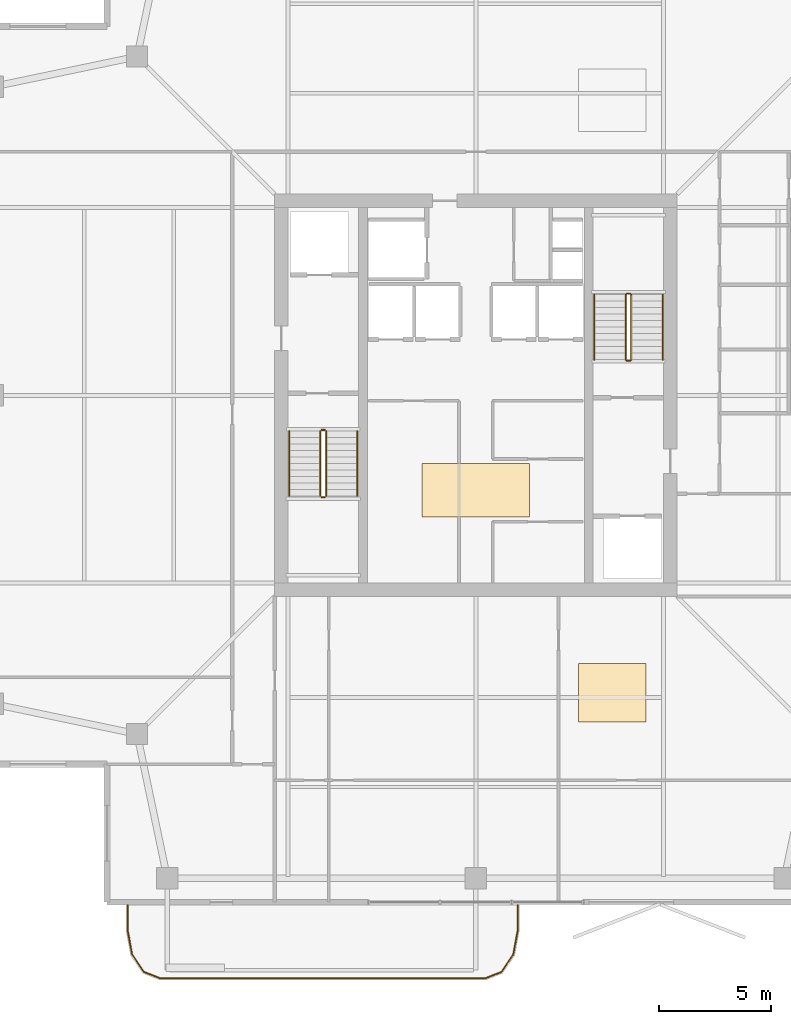
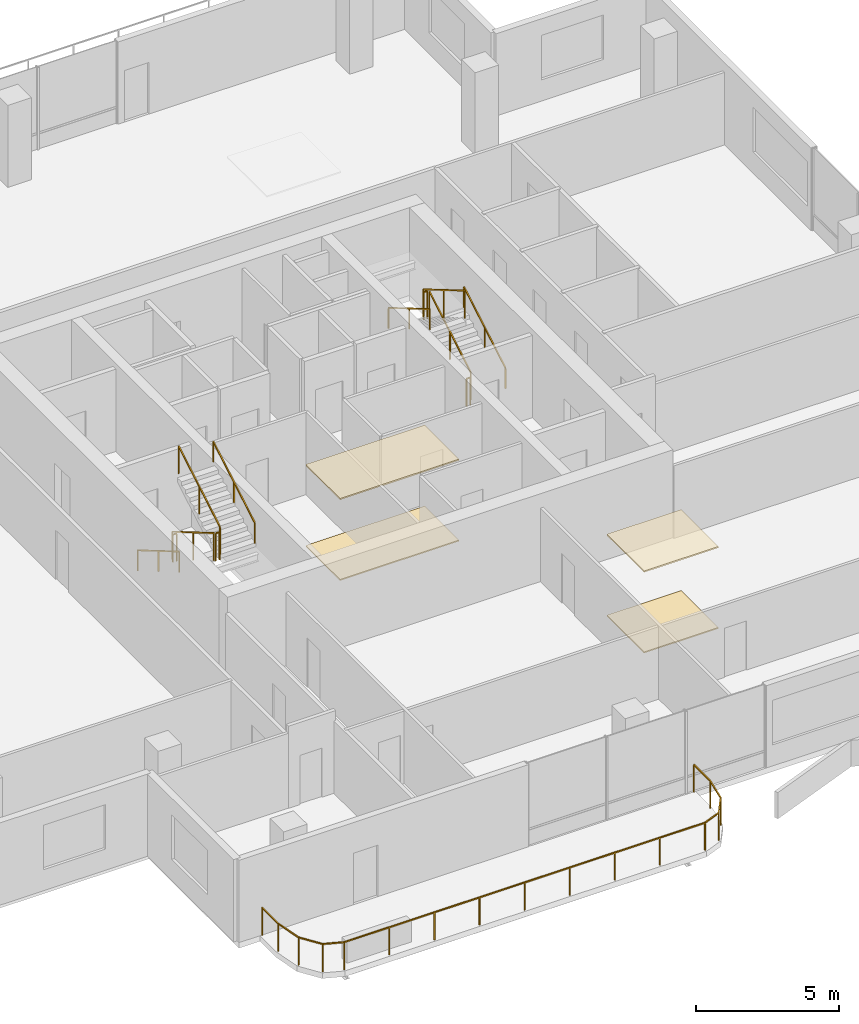
# One storey, part 16 of 17: 13 railings, 4 coverings.
"""IFC4 building model written with IfcOpenShell, lengths in metres."""

from ifc_helpers import new_model, si_unit, direction, frame, origin, origin_2d, place, context, subcontext, project, spatial, polyline, rectangle, outline, extrude, material, layer, layer_set, type_object, element, save


model = new_model("IFC4")

# Units and contexts
model_context = context("Model", 3, precision=1e-05, world=origin(), true_north=direction((0.0, 1.0)))
body_context = subcontext(model_context, "Body", "Model", "MODEL_VIEW")
ifc_project = project(units=[si_unit("LENGTHUNIT", "METRE"), si_unit("AREAUNIT", "SQUARE_METRE"), si_unit("VOLUMEUNIT", "CUBIC_METRE"), si_unit("PLANEANGLEUNIT", "RADIAN"), si_unit("MASSUNIT", "GRAM", prefix="KILO")], contexts=[model_context])

# Site, building, storey
site_placement = place(None, origin())
site = spatial("IfcSite", under=ifc_project, at=site_placement, CompositionType="ELEMENT")
building_placement = place(site_placement, origin())
building = spatial("IfcBuilding", under=site, at=building_placement, Name="Belovzor Exchange Tower", CompositionType="ELEMENT")
storey_placement = place(building_placement, frame((0.0, 0.0, 325.5)))
storey = spatial("IfcBuildingStorey", under=building, at=storey_placement, Name="L81", CompositionType="ELEMENT", Elevation=325.5)

# Railings
ifc_material_1 = material(Name="Stainless Steel Grade 304", Category="steel")
railing_type_1 = type_object("IfcRailingType", Name="Brushed Stainless Steel Stair Handrail 900", PredefinedType="HANDRAIL", material=ifc_material_1)
railing_1_placement = place(storey_placement, frame((20.449951171875, 27.199951171875, 0.17041015625)))
element("IfcRailing", 1, at=railing_1_placement, inside=storey, type_object=railing_type_1, Name="L81 ST-1 stair handrail 1", PredefinedType="HANDRAIL", context=body_context, shape_type="SweptSolid", body=[
    extrude(rectangle(XDim=0.048095703125, YDim=0.048095703125, at=origin_2d()), frame((0.0, 0.0, 0.8759765625), z_axis=(0.0, -0.86209462966, 0.506747323142), x_axis=(1.0, 0.0, 0.0)), (0.0, 0.0, 1.0), 3.36376953125),
    extrude(rectangle(XDim=0.0419921875, YDim=0.0419921875, at=origin_2d()), origin(), (0.0, 0.0, 1.0), 0.851806640625),
    extrude(rectangle(XDim=0.0419921875, YDim=0.0419921875, at=origin_2d()), frame((0.0, -1.449951171875, 0.852294921875)), (0.0, 0.0, 1.0), 0.851806640625),
    extrude(rectangle(XDim=0.0419921875, YDim=0.0419921875, at=origin_2d()), frame((0.0, -2.89990234375, 1.70458984375)), (0.0, 0.0, 1.0), 0.851806640625),
])
railing_2_placement = place(storey_placement, frame((23.5, 24.300048828125, 2.04541015625)))
element("IfcRailing", 2, at=railing_2_placement, inside=storey, type_object=railing_type_1, Name="L81 ST-1 stair handrail 2", PredefinedType="HANDRAIL", context=body_context, shape_type="SweptSolid", body=[
    extrude(rectangle(XDim=0.048095703125, YDim=0.048095703125, at=origin_2d()), frame((0.0, 0.0, 0.8759765625), z_axis=(0.0, 0.86209462966, 0.506747323142), x_axis=(-1.0, 0.0, 0.0)), (0.0, 0.0, 1.0), 3.36376953125),
    extrude(rectangle(XDim=0.0419921875, YDim=0.0419921875, at=origin_2d()), origin(), (0.0, 0.0, 1.0), 0.851806640625),
    extrude(rectangle(XDim=0.0419921875, YDim=0.0419921875, at=origin_2d()), frame((0.0, 1.449951171875, 0.852294921875)), (0.0, 0.0, 1.0), 0.851806640625),
    extrude(rectangle(XDim=0.0419921875, YDim=0.0419921875, at=origin_2d()), frame((0.0, 2.89990234375, 1.70458984375)), (0.0, 0.0, 1.0), 0.851806640625),
])
railing_3_placement = place(storey_placement, frame((37.14990234375, 30.39990234375, 0.17041015625)))
element("IfcRailing", 3, at=railing_3_placement, inside=storey, type_object=railing_type_1, Name="L81 ST-2 stair handrail 1", PredefinedType="HANDRAIL", context=body_context, shape_type="SweptSolid", body=[
    extrude(rectangle(XDim=0.048095703125, YDim=0.048095703125, at=origin_2d()), frame((0.0, 0.0, 0.8759765625), z_axis=(0.0, 0.862113265706, 0.506715617574), x_axis=(-1.0, 0.0, 0.0)), (0.0, 0.0, 1.0), 3.364013671875),
    extrude(rectangle(XDim=0.0419921875, YDim=0.0419921875, at=origin_2d()), origin(), (0.0, 0.0, 1.0), 0.851806640625),
    extrude(rectangle(XDim=0.0419921875, YDim=0.0419921875, at=origin_2d()), frame((0.0, 1.4501953125, 0.852294921875)), (0.0, 0.0, 1.0), 0.851806640625),
    extrude(rectangle(XDim=0.0419921875, YDim=0.0419921875, at=origin_2d()), frame((0.0, 2.900146484375, 1.70458984375)), (0.0, 0.0, 1.0), 0.851806640625),
])
railing_4_placement = place(storey_placement, frame((34.10009765625, 33.300048828125, 2.04541015625)))
element("IfcRailing", 4, at=railing_4_placement, inside=storey, type_object=railing_type_1, Name="L81 ST-2 stair handrail 2", PredefinedType="HANDRAIL", context=body_context, shape_type="SweptSolid", body=[
    extrude(rectangle(XDim=0.048095703125, YDim=0.048095703125, at=origin_2d()), frame((0.0, 0.0, 0.8759765625), z_axis=(0.0, -0.862113265706, 0.506715617574), x_axis=(1.0, 0.0, 0.0)), (0.0, 0.0, 1.0), 3.364013671875),
    extrude(rectangle(XDim=0.0419921875, YDim=0.0419921875, at=origin_2d()), origin(), (0.0, 0.0, 1.0), 0.851806640625),
    extrude(rectangle(XDim=0.0419921875, YDim=0.0419921875, at=origin_2d()), frame((0.0, -1.4501953125, 0.852294921875)), (0.0, 0.0, 1.0), 0.851806640625),
    extrude(rectangle(XDim=0.0419921875, YDim=0.0419921875, at=origin_2d()), frame((0.0, -2.900146484375, 1.70458984375)), (0.0, 0.0, 1.0), 0.851806640625),
])
ifc_material_2 = material(Name="Stainless Steel and Laminated Safety Glass", Category="steel")
railing_type_2 = type_object("IfcRailingType", Name="Laminated Glass & Stainless Steel Balcony Balustrade 1200", PredefinedType="BALUSTRADE", material=ifc_material_2)
railing_5_placement = place(storey_placement, frame((13.22998046875, 5.989990234375, 0.0)))
element("IfcRailing", 5, at=railing_5_placement, inside=storey, type_object=railing_type_2, Name="GR-1 Balcony Balustrade L81 South", PredefinedType="BALUSTRADE", context=body_context, shape_type="SweptSolid", body=[
    extrude(rectangle(XDim=0.048095703125, YDim=0.048095703125, at=origin_2d()), frame((0.0, 0.0, 1.17578125), z_axis=(0.0, -1.0, 0.0), x_axis=(1.0, 0.0, 0.0)), (0.0, 0.0, 1.0), 1.133056640625),
    extrude(rectangle(XDim=0.048095703125, YDim=0.048095703125, at=origin_2d()), frame((0.0, -1.133056640625, 1.17578125), z_axis=(0.180122719713, -0.983644145941, 0.0), x_axis=(0.983644145941, 0.180122719713, 0.0)), (0.0, 0.0, 1.0), 1.09375),
    extrude(rectangle(XDim=0.048095703125, YDim=0.048095703125, at=origin_2d()), frame((0.197021484375, -2.208984375, 1.17578125), z_axis=(0.562768145367, -0.826614792125, 0.0), x_axis=(0.826614792125, 0.562768145367, 0.0)), (0.0, 0.0, 1.0), 0.9326171875),
    extrude(rectangle(XDim=0.048095703125, YDim=0.048095703125, at=origin_2d()), frame((0.721923828125, -2.97998046875, 1.17578125), z_axis=(0.930809580156, -0.365504480807, 0.0), x_axis=(0.365504480807, 0.930809580156, 0.0)), (0.0, 0.0, 1.0), 0.76611328125),
    extrude(rectangle(XDim=0.048095703125, YDim=0.048095703125, at=origin_2d()), frame((1.43505859375, -3.260009765625, 1.17578125), z_axis=(1.0, 0.0, 0.0), x_axis=(0.0, 1.0, 0.0)), (0.0, 0.0, 1.0), 14.570068359375),
    extrude(rectangle(XDim=0.048095703125, YDim=0.048095703125, at=origin_2d()), frame((16.005126953125, -3.260009765625, 1.17578125), z_axis=(0.930766990125, 0.365612923861, 0.0), x_axis=(-0.365612923861, 0.930766990125, 0.0)), (0.0, 0.0, 1.0), 0.765869140625),
    extrude(rectangle(XDim=0.048095703125, YDim=0.048095703125, at=origin_2d()), frame((16.718017578125, -2.97998046875, 1.17578125), z_axis=(0.562768145367, 0.826614792125, 0.0), x_axis=(-0.826614792125, 0.562768145367, 0.0)), (0.0, 0.0, 1.0), 0.9326171875),
    extrude(rectangle(XDim=0.048095703125, YDim=0.048095703125, at=origin_2d()), frame((17.242919921875, -2.208984375, 1.17578125), z_axis=(0.180122719713, 0.983644145941, 0.0), x_axis=(-0.983644145941, 0.180122719713, 0.0)), (0.0, 0.0, 1.0), 1.09375),
    extrude(rectangle(XDim=0.048095703125, YDim=0.048095703125, at=origin_2d()), frame((17.43994140625, -1.133056640625, 1.17578125), z_axis=(0.0, 1.0, 0.0), x_axis=(-1.0, 0.0, 0.0)), (0.0, 0.0, 1.0), 1.133056640625),
    extrude(rectangle(XDim=0.0419921875, YDim=0.0419921875, at=origin_2d()), origin(), (0.0, 0.0, 1.0), 1.15185546875),
    extrude(rectangle(XDim=0.0419921875, YDim=0.0419921875, at=origin_2d()), frame((0.0, -1.133056640625, 0.0)), (0.0, 0.0, 1.0), 1.15185546875),
    extrude(rectangle(XDim=0.0419921875, YDim=0.0419921875, at=origin_2d()), frame((0.197021484375, -2.208984375, 0.0)), (0.0, 0.0, 1.0), 1.15185546875),
    extrude(rectangle(XDim=0.0419921875, YDim=0.0419921875, at=origin_2d()), frame((0.721923828125, -2.97998046875, 0.0)), (0.0, 0.0, 1.0), 1.15185546875),
    extrude(rectangle(XDim=0.0419921875, YDim=0.0419921875, at=origin_2d()), frame((1.43505859375, -3.260009765625, 0.0)), (0.0, 0.0, 1.0), 1.15185546875),
    extrude(rectangle(XDim=0.0419921875, YDim=0.0419921875, at=origin_2d()), frame((3.25634765625, -3.260009765625, 0.0)), (0.0, 0.0, 1.0), 1.15185546875),
    extrude(rectangle(XDim=0.0419921875, YDim=0.0419921875, at=origin_2d()), frame((5.07763671875, -3.260009765625, 0.0)), (0.0, 0.0, 1.0), 1.15185546875),
    extrude(rectangle(XDim=0.0419921875, YDim=0.0419921875, at=origin_2d()), frame((6.89892578125, -3.260009765625, 0.0)), (0.0, 0.0, 1.0), 1.15185546875),
    extrude(rectangle(XDim=0.0419921875, YDim=0.0419921875, at=origin_2d()), frame((8.72021484375, -3.260009765625, 0.0)), (0.0, 0.0, 1.0), 1.15185546875),
    extrude(rectangle(XDim=0.0419921875, YDim=0.0419921875, at=origin_2d()), frame((10.541259765625, -3.260009765625, 0.0)), (0.0, 0.0, 1.0), 1.15185546875),
    extrude(rectangle(XDim=0.0419921875, YDim=0.0419921875, at=origin_2d()), frame((12.362548828125, -3.260009765625, 0.0)), (0.0, 0.0, 1.0), 1.15185546875),
    extrude(rectangle(XDim=0.0419921875, YDim=0.0419921875, at=origin_2d()), frame((14.183837890625, -3.260009765625, 0.0)), (0.0, 0.0, 1.0), 1.15185546875),
    extrude(rectangle(XDim=0.0419921875, YDim=0.0419921875, at=origin_2d()), frame((16.005126953125, -3.260009765625, 0.0)), (0.0, 0.0, 1.0), 1.15185546875),
    extrude(rectangle(XDim=0.0419921875, YDim=0.0419921875, at=origin_2d()), frame((16.718017578125, -2.97998046875, 0.0)), (0.0, 0.0, 1.0), 1.15185546875),
    extrude(rectangle(XDim=0.0419921875, YDim=0.0419921875, at=origin_2d()), frame((17.242919921875, -2.208984375, 0.0)), (0.0, 0.0, 1.0), 1.15185546875),
    extrude(rectangle(XDim=0.0419921875, YDim=0.0419921875, at=origin_2d()), frame((17.43994140625, -1.133056640625, 0.0)), (0.0, 0.0, 1.0), 1.15185546875),
    extrude(rectangle(XDim=0.0419921875, YDim=0.0419921875, at=origin_2d()), frame((17.43994140625, 0.0, 0.0)), (0.0, 0.0, 1.0), 1.15185546875),
])
ifc_material_3 = material(Name="Steel S355", Category="steel")
railing_type_3 = type_object("IfcRailingType", Name="Painted Steel Stairwell Guardrail 1200", PredefinedType="GUARDRAIL", material=ifc_material_3)
railing_6_placement = place(storey_placement, frame((21.85009765625, 27.199951171875, 0.17041015625)))
element("IfcRailing", 6, at=railing_6_placement, inside=storey, type_object=railing_type_3, Name="L81 ST-1 stair guard 1", PredefinedType="GUARDRAIL", context=body_context, shape_type="SweptSolid", body=[
    extrude(rectangle(XDim=0.048095703125, YDim=0.048095703125, at=origin_2d()), frame((0.0, 0.0, 1.17578125), z_axis=(0.0, -0.86209462966, 0.506747323142), x_axis=(1.0, 0.0, 0.0)), (0.0, 0.0, 1.0), 3.36376953125),
    extrude(rectangle(XDim=0.0419921875, YDim=0.0419921875, at=origin_2d()), origin(), (0.0, 0.0, 1.0), 1.15185546875),
    extrude(rectangle(XDim=0.0419921875, YDim=0.0419921875, at=origin_2d()), frame((0.0, -1.449951171875, 0.852294921875)), (0.0, 0.0, 1.0), 1.15185546875),
    extrude(rectangle(XDim=0.0419921875, YDim=0.0419921875, at=origin_2d()), frame((0.0, -2.89990234375, 1.70458984375)), (0.0, 0.0, 1.0), 1.15185546875),
])
railing_7_placement = place(storey_placement, frame((21.89990234375, 24.25, 1.875)))
element("IfcRailing", 7, at=railing_7_placement, inside=storey, type_object=railing_type_3, Name="L81 ST-1 stair guard 2", PredefinedType="GUARDRAIL", context=body_context, shape_type="SweptSolid", body=[
    extrude(rectangle(XDim=0.048095703125, YDim=0.048095703125, at=origin_2d()), frame((0.0, 0.0, 1.17578125), z_axis=(1.0, 0.0, 0.0), x_axis=(0.0, 1.0, 0.0)), (0.0, 0.0, 1.0), 0.150146484375),
    extrude(rectangle(XDim=0.0419921875, YDim=0.0419921875, at=origin_2d()), origin(), (0.0, 0.0, 1.0), 1.15185546875),
    extrude(rectangle(XDim=0.0419921875, YDim=0.0419921875, at=origin_2d()), frame((0.150146484375, 0.0, 0.0)), (0.0, 0.0, 1.0), 1.15185546875),
])
railing_8_placement = place(storey_placement, frame((22.10009765625, 24.300048828125, 2.04541015625)))
element("IfcRailing", 8, at=railing_8_placement, inside=storey, type_object=railing_type_3, Name="L81 ST-1 stair guard 3", PredefinedType="GUARDRAIL", context=body_context, shape_type="SweptSolid", body=[
    extrude(rectangle(XDim=0.048095703125, YDim=0.048095703125, at=origin_2d()), frame((0.0, 0.0, 1.17578125), z_axis=(0.0, 0.86209462966, 0.506747323142), x_axis=(-1.0, 0.0, 0.0)), (0.0, 0.0, 1.0), 3.36376953125),
    extrude(rectangle(XDim=0.0419921875, YDim=0.0419921875, at=origin_2d()), origin(), (0.0, 0.0, 1.0), 1.15185546875),
    extrude(rectangle(XDim=0.0419921875, YDim=0.0419921875, at=origin_2d()), frame((0.0, 1.449951171875, 0.852294921875)), (0.0, 0.0, 1.0), 1.15185546875),
    extrude(rectangle(XDim=0.0419921875, YDim=0.0419921875, at=origin_2d()), frame((0.0, 2.89990234375, 1.70458984375)), (0.0, 0.0, 1.0), 1.15185546875),
])
railing_9_placement = place(storey_placement, frame((21.89990234375, 27.25, 0.0)))
element("IfcRailing", 9, at=railing_9_placement, inside=storey, type_object=railing_type_3, Name="L81 ST-1 stair guard 4", PredefinedType="GUARDRAIL", context=body_context, shape_type="SweptSolid", body=[
    extrude(rectangle(XDim=0.048095703125, YDim=0.048095703125, at=origin_2d()), frame((0.0, 0.0, 1.17578125), z_axis=(1.0, 0.0, 0.0), x_axis=(0.0, 1.0, 0.0)), (0.0, 0.0, 1.0), 0.150146484375),
    extrude(rectangle(XDim=0.0419921875, YDim=0.0419921875, at=origin_2d()), origin(), (0.0, 0.0, 1.0), 1.15185546875),
    extrude(rectangle(XDim=0.0419921875, YDim=0.0419921875, at=origin_2d()), frame((0.150146484375, 0.0, 0.0)), (0.0, 0.0, 1.0), 1.15185546875),
])
railing_10_placement = place(storey_placement, frame((35.75, 30.39990234375, 0.17041015625)))
element("IfcRailing", 10, at=railing_10_placement, inside=storey, type_object=railing_type_3, Name="L81 ST-2 stair guard 1", PredefinedType="GUARDRAIL", context=body_context, shape_type="SweptSolid", body=[
    extrude(rectangle(XDim=0.048095703125, YDim=0.048095703125, at=origin_2d()), frame((0.0, 0.0, 1.17578125), z_axis=(0.0, 0.862113265706, 0.506715617574), x_axis=(-1.0, 0.0, 0.0)), (0.0, 0.0, 1.0), 3.364013671875),
    extrude(rectangle(XDim=0.0419921875, YDim=0.0419921875, at=origin_2d()), origin(), (0.0, 0.0, 1.0), 1.15185546875),
    extrude(rectangle(XDim=0.0419921875, YDim=0.0419921875, at=origin_2d()), frame((0.0, 1.4501953125, 0.852294921875)), (0.0, 0.0, 1.0), 1.15185546875),
    extrude(rectangle(XDim=0.0419921875, YDim=0.0419921875, at=origin_2d()), frame((0.0, 2.900146484375, 1.70458984375)), (0.0, 0.0, 1.0), 1.15185546875),
])
railing_11_placement = place(storey_placement, frame((35.699951171875, 33.35009765625, 1.875)))
element("IfcRailing", 11, at=railing_11_placement, inside=storey, type_object=railing_type_3, Name="L81 ST-2 stair guard 2", PredefinedType="GUARDRAIL", context=body_context, shape_type="SweptSolid", body=[
    extrude(rectangle(XDim=0.048095703125, YDim=0.048095703125, at=origin_2d()), frame((0.0, 0.0, 1.17578125), z_axis=(-1.0, 0.0, 0.0), x_axis=(0.0, -1.0, 0.0)), (0.0, 0.0, 1.0), 0.14990234375),
    extrude(rectangle(XDim=0.0419921875, YDim=0.0419921875, at=origin_2d()), origin(), (0.0, 0.0, 1.0), 1.15185546875),
    extrude(rectangle(XDim=0.0419921875, YDim=0.0419921875, at=origin_2d()), frame((-0.14990234375, 0.0, 0.0)), (0.0, 0.0, 1.0), 1.15185546875),
])
railing_12_placement = place(storey_placement, frame((35.5, 33.300048828125, 2.04541015625)))
element("IfcRailing", 12, at=railing_12_placement, inside=storey, type_object=railing_type_3, Name="L81 ST-2 stair guard 3", PredefinedType="GUARDRAIL", context=body_context, shape_type="SweptSolid", body=[
    extrude(rectangle(XDim=0.048095703125, YDim=0.048095703125, at=origin_2d()), frame((0.0, 0.0, 1.17578125), z_axis=(0.0, -0.862113265706, 0.506715617574), x_axis=(1.0, 0.0, 0.0)), (0.0, 0.0, 1.0), 3.364013671875),
    extrude(rectangle(XDim=0.0419921875, YDim=0.0419921875, at=origin_2d()), origin(), (0.0, 0.0, 1.0), 1.15185546875),
    extrude(rectangle(XDim=0.0419921875, YDim=0.0419921875, at=origin_2d()), frame((0.0, -1.4501953125, 0.852294921875)), (0.0, 0.0, 1.0), 1.15185546875),
    extrude(rectangle(XDim=0.0419921875, YDim=0.0419921875, at=origin_2d()), frame((0.0, -2.900146484375, 1.70458984375)), (0.0, 0.0, 1.0), 1.15185546875),
])
railing_13_placement = place(storey_placement, frame((35.699951171875, 30.35009765625, 0.0)))
element("IfcRailing", 13, at=railing_13_placement, inside=storey, type_object=railing_type_3, Name="L81 ST-2 stair guard 4", PredefinedType="GUARDRAIL", context=body_context, shape_type="SweptSolid", body=[
    extrude(rectangle(XDim=0.048095703125, YDim=0.048095703125, at=origin_2d()), frame((0.0, 0.0, 1.17578125), z_axis=(-1.0, 0.0, 0.0), x_axis=(0.0, -1.0, 0.0)), (0.0, 0.0, 1.0), 0.14990234375),
    extrude(rectangle(XDim=0.0419921875, YDim=0.0419921875, at=origin_2d()), origin(), (0.0, 0.0, 1.0), 1.15185546875),
    extrude(rectangle(XDim=0.0419921875, YDim=0.0419921875, at=origin_2d()), frame((-0.14990234375, 0.0, 0.0)), (0.0, 0.0, 1.0), 1.15185546875),
])

# Coverings
ifc_material_4 = material(Name="Perforated Powder-Coated Aluminium", Category="aluminium")
ifc_layer_1 = layer(ifc_material_4, 0.06005859375)
ifc_layer_set_1 = layer_set([ifc_layer_1], Name="Perforated Powder-Coated Aluminium")
covering_type_1 = type_object("IfcCoveringType", Name="Perforated Acoustic Metal Tile Suspended Ceiling 60", PredefinedType="CEILING", material=ifc_layer_set_1)
covering_1_placement = place(storey_placement, frame((0.0, 0.0, 3.449951171875)))
element("IfcCovering", 14, at=covering_1_placement, inside=storey, type_object=covering_type_1, Name="CLG-AC60 Suspended Ceiling CLG-L81-LOB", PredefinedType="CEILING", context=body_context, shape_type="SweptSolid", body=[
    extrude(outline(polyline([(26.39990234375, 23.35009765625), (31.199951171875, 23.35009765625), (31.199951171875, 25.75), (26.39990234375, 25.75), (26.39990234375, 23.35009765625)])), origin(), (0.0, 0.0, 1.0), 0.06005859375),
])
covering_2_placement = place(storey_placement, frame((0.0, 0.0, 3.449951171875)))
element("IfcCovering", 15, at=covering_2_placement, inside=storey, type_object=covering_type_1, Name="CLG-AC60 Suspended Ceiling CLG-L81-Z1", PredefinedType="CEILING", context=body_context, shape_type="SweptSolid", body=[
    extrude(outline(polyline([(33.39990234375, 14.199951171875), (36.39990234375, 14.199951171875), (36.39990234375, 16.800048828125), (33.39990234375, 16.800048828125), (33.39990234375, 14.199951171875)])), origin(), (0.0, 0.0, 1.0), 0.06005859375),
])
ifc_material_5 = material(Name="Polished Natural Granite Tile", Category="masonry")
ifc_layer_2 = layer(ifc_material_5, 0.050048828125)
ifc_layer_set_2 = layer_set([ifc_layer_2], Name="Polished Natural Granite Tile")
covering_type_2 = type_object("IfcCoveringType", Name="Polished Karelian Granite & Raised Access Floor Finish 50", PredefinedType="FLOORING", material=ifc_layer_set_2)
covering_3_placement = place(storey_placement, origin())
element("IfcCovering", 16, at=covering_3_placement, inside=storey, type_object=covering_type_2, Name="FLR-GR50 Floor Finish FLR-L81-LOB", PredefinedType="FLOORING", context=body_context, shape_type="SweptSolid", body=[
    extrude(outline(polyline([(26.39990234375, 23.35009765625), (31.199951171875, 23.35009765625), (31.199951171875, 25.75), (26.39990234375, 25.75), (26.39990234375, 23.35009765625)])), origin(), (0.0, 0.0, 1.0), 0.050048828125),
])
covering_4_placement = place(storey_placement, origin())
element("IfcCovering", 17, at=covering_4_placement, inside=storey, type_object=covering_type_2, Name="FLR-GR50 Floor Finish FLR-L81-Z1", PredefinedType="FLOORING", context=body_context, shape_type="SweptSolid", body=[
    extrude(outline(polyline([(33.39990234375, 14.199951171875), (36.39990234375, 14.199951171875), (36.39990234375, 16.800048828125), (33.39990234375, 16.800048828125), (33.39990234375, 14.199951171875)])), origin(), (0.0, 0.0, 1.0), 0.050048828125),
])

save(model, "model.ifc")
